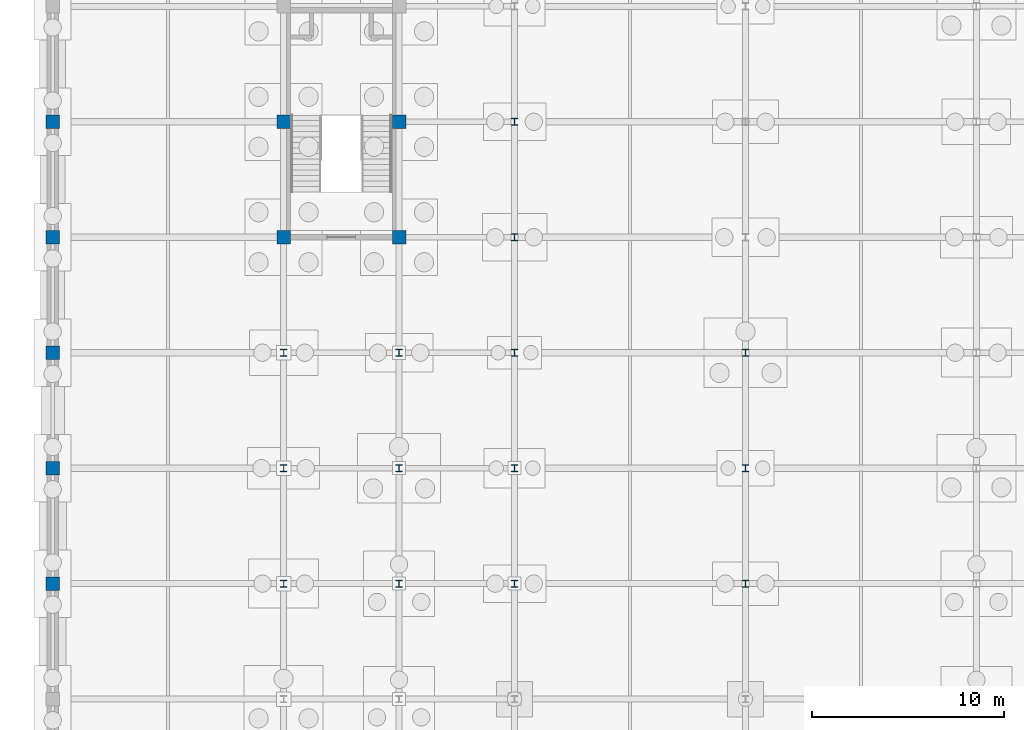
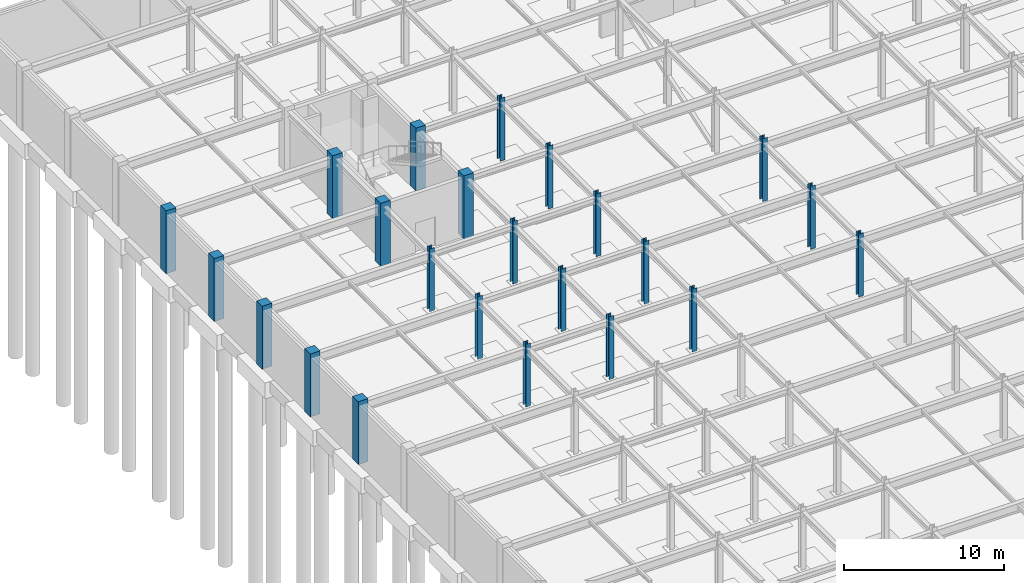
# One storey, part 21 of 69: 23 columns.
"""IFC4 building model written with IfcOpenShell, lengths in metres."""

from ifc_helpers import new_model, si_unit, direction, frame, origin, origin_2d, place, context, subcontext, project, spatial, rectangle, i_section, extrude, material, material_profile, profile_set, type_object, element, save


model = new_model("IFC4")

# Units and contexts
model_context = context("Model", 3, precision=1e-05, world=origin(), true_north=direction((0.0, 1.0)))
body_context = subcontext(model_context, "Body", "Model", "MODEL_VIEW")
ifc_project = project(units=[si_unit("LENGTHUNIT", "METRE"), si_unit("AREAUNIT", "SQUARE_METRE"), si_unit("VOLUMEUNIT", "CUBIC_METRE"), si_unit("PLANEANGLEUNIT", "RADIAN"), si_unit("MASSUNIT", "GRAM", prefix="KILO")], contexts=[model_context])

# Site, building, storey
site_placement = place(None, origin())
site = spatial("IfcSite", under=ifc_project, at=site_placement, CompositionType="ELEMENT")
building_placement = place(site_placement, origin())
building = spatial("IfcBuilding", under=site, at=building_placement, Name="Zlatovratsky Civic Hall", CompositionType="ELEMENT")
storey_placement = place(building_placement, frame((0.0, 0.0, -4.800048828125)))
storey = spatial("IfcBuildingStorey", under=building, at=storey_placement, Name="B1", CompositionType="ELEMENT", Elevation=-4.800048828125)

# Columns
ifc_material_1 = material(Name="Concrete C35/45 (B40)", Category="concrete")
ifc_material_profile_1 = material_profile(ifc_material_1, rectangle(XDim=0.699951171875, YDim=0.699951171875, at=origin_2d()), Name="RC 700x700")
ifc_profile_set_1 = profile_set([ifc_material_profile_1], Name="Concrete C35/45 (B40)")
column_type_1 = type_object("IfcColumnType", Name="Col_CorePier_RC700", PredefinedType="COLUMN", material=ifc_profile_set_1)
for number, where, z_axis, x_axis, name in (
    (1, (0.0, 66.0, 0.0), (0.0, 0.0, 1.0), (1.0, 0.0, 0.0), "CL-0210"),
    (2, (0.0, 72.0, 0.0), (0.0, 0.0, 1.0), (1.0, 0.0, 0.0), "CL-0233"),
    (3, (0.0, 78.0, 0.0), (0.0, 0.0, 1.0), (1.0, 0.0, 0.0), "CL-0256"),
    (4, (0.0, 84.0, 0.0), (0.0, 0.0, 1.0), (1.0, 0.0, 0.0), "CL-0279"),
    (5, (12.0, 84.0, 0.0), (0.0, 0.0, 1.0), (1.0, 0.0, 0.0), "CL-0280"),
    (6, (18.0, 84.0, 0.0), (0.0, 0.0, 1.0), (1.0, 0.0, 0.0), "CL-0281"),
    (7, (0.0, 90.0, 0.0), (0.0, 0.0, 1.0), (1.0, 0.0, 0.0), "CL-0302"),
    (8, (12.0, 90.0, 0.0), (0.0, 0.0, 1.0), (1.0, 0.0, 0.0), "CL-0303"),
    (9, (18.0, 90.0, 0.0), (0.0, 0.0, 1.0), (1.0, 0.0, 0.0), "CL-0304"),
):
    element("IfcColumn", number, at=place(storey_placement, frame(where, z_axis=z_axis, x_axis=x_axis)), inside=storey, type_object=column_type_1, Name=name, PredefinedType="COLUMN", context=body_context, shape_type="SweptSolid", body=[
        extrude(rectangle(XDim=0.699951171875, YDim=0.699951171875, at=origin_2d()), origin(), (0.0, 0.0, 1.0), 4.800048828125),
    ])
ifc_material_2 = material(Name="Steel S355", Category="steel")
ifc_material_profile_2 = material_profile(ifc_material_2, i_section(OverallWidth=0.35009765625, OverallDepth=0.35009765625, WebThickness=0.011962890625, FlangeThickness=0.01904296875, FilletRadius=0.02001953125, at=origin_2d()), Name="35K2")
ifc_profile_set_2 = profile_set([ifc_material_profile_2], Name="Steel S355")
column_type_2 = type_object("IfcColumnType", Name="Col_Steel_35K2", PredefinedType="COLUMN", material=ifc_profile_set_2)
for number, where, z_axis, x_axis, name in (
    (10, (12.0, 66.0, 0.0), (0.0, 0.0, 1.0), (1.0, 0.0, 0.0), "CL-0211"),
    (11, (18.0, 66.0, 0.0), (0.0, 0.0, 1.0), (1.0, 0.0, 0.0), "CL-0212"),
    (12, (24.0, 66.0, 0.0), (0.0, 0.0, 1.0), (1.0, 0.0, 0.0), "CL-0213"),
    (13, (36.0, 66.0, 0.0), (0.0, 0.0, 1.0), (1.0, 0.0, 0.0), "CL-0214"),
    (14, (12.0, 72.0, 0.0), (0.0, 0.0, 1.0), (1.0, 0.0, 0.0), "CL-0234"),
    (15, (18.0, 72.0, 0.0), (0.0, 0.0, 1.0), (1.0, 0.0, 0.0), "CL-0235"),
    (16, (24.0, 72.0, 0.0), (0.0, 0.0, 1.0), (1.0, 0.0, 0.0), "CL-0236"),
    (17, (36.0, 72.0, 0.0), (0.0, 0.0, 1.0), (1.0, 0.0, 0.0), "CL-0237"),
    (18, (12.0, 78.0, 0.0), (0.0, 0.0, 1.0), (1.0, 0.0, 0.0), "CL-0257"),
    (19, (18.0, 78.0, 0.0), (0.0, 0.0, 1.0), (1.0, 0.0, 0.0), "CL-0258"),
    (20, (24.0, 78.0, 0.0), (0.0, 0.0, 1.0), (1.0, 0.0, 0.0), "CL-0259"),
    (21, (36.0, 78.0, 0.0), (0.0, 0.0, 1.0), (1.0, 0.0, 0.0), "CL-0260"),
    (22, (24.0, 84.0, 0.0), (0.0, 0.0, 1.0), (1.0, 0.0, 0.0), "CL-0282"),
    (23, (24.0, 90.0, 0.0), (0.0, 0.0, 1.0), (1.0, 0.0, 0.0), "CL-0305"),
):
    element("IfcColumn", number, at=place(storey_placement, frame(where, z_axis=z_axis, x_axis=x_axis)), inside=storey, type_object=column_type_2, Name=name, PredefinedType="COLUMN", context=body_context, shape_type="SweptSolid", body=[
        extrude(i_section(OverallWidth=0.35009765625, OverallDepth=0.35009765625, WebThickness=0.011962890625, FlangeThickness=0.01904296875, FilletRadius=0.02001953125, at=origin_2d()), origin(), (0.0, 0.0, 1.0), 4.800048828125),
    ])

save(model, "model.ifc")
